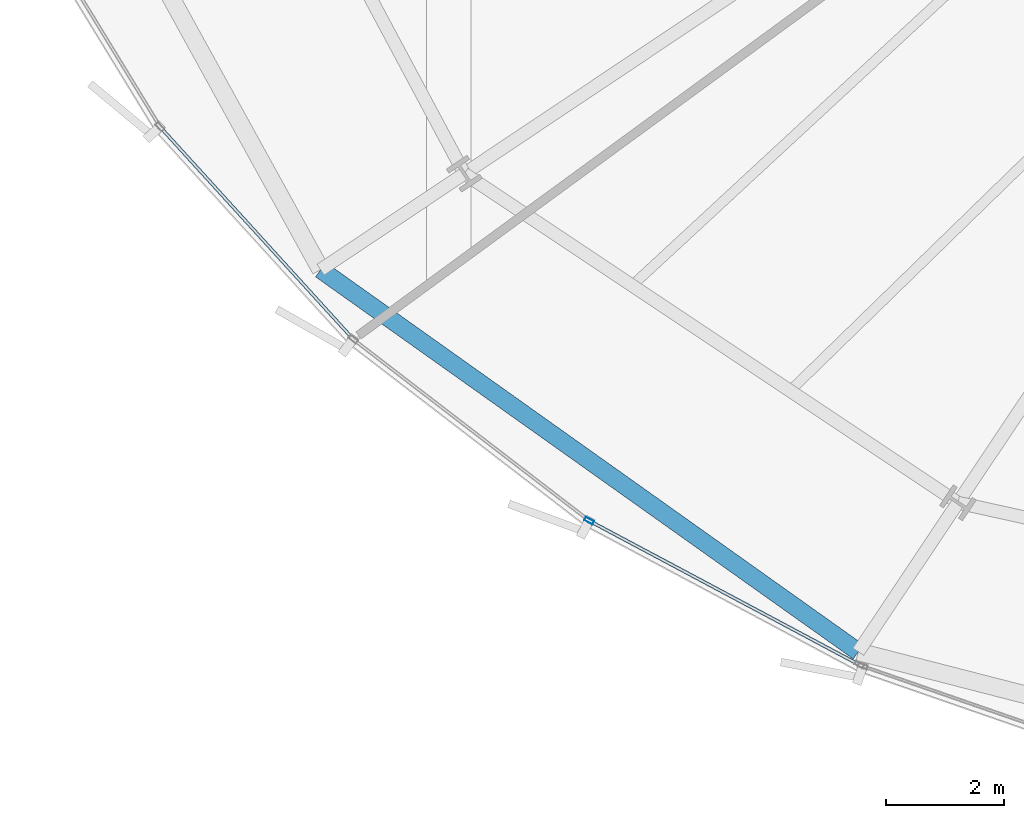
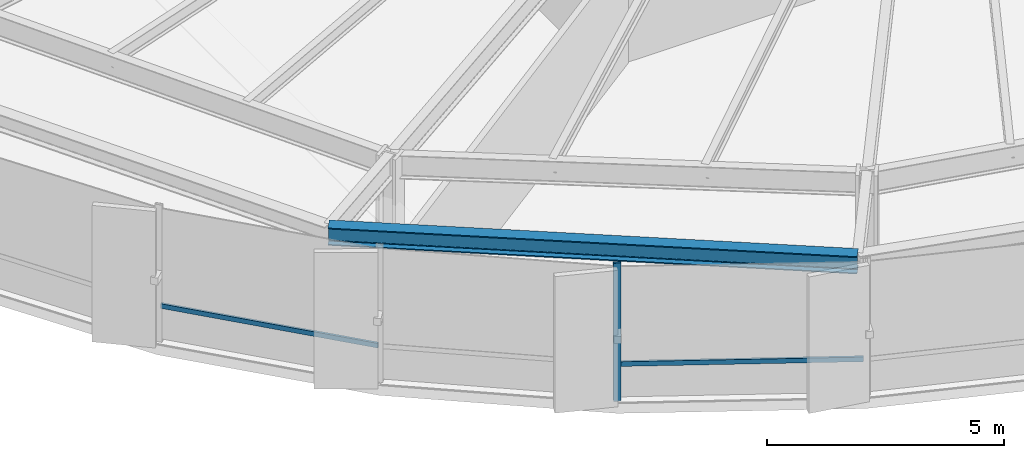
# One storey, part 2 of 42: 3 members, 1 beam, 1 element without a shape of its own.
"""IFC4 building model written with IfcOpenShell, lengths in metres."""

from ifc_helpers import new_model, si_unit, direction, frame, origin, origin_2d, place, context, subcontext, project, spatial, hollow_rectangle, i_section, extrude, source, transform, mapped, material, layer, layer_set, material_profile, profile_set, type_object, element, aggregate, save


model = new_model("IFC4")

# Units and contexts
model_context = context("Model", 3, precision=1e-05, world=origin(), true_north=direction((0.0, 1.0)))
body_context = subcontext(model_context, "Body", "Model", "MODEL_VIEW")
ifc_project = project(units=[si_unit("LENGTHUNIT", "METRE"), si_unit("AREAUNIT", "SQUARE_METRE"), si_unit("VOLUMEUNIT", "CUBIC_METRE"), si_unit("PLANEANGLEUNIT", "RADIAN"), si_unit("MASSUNIT", "GRAM", prefix="KILO"), si_unit("THERMODYNAMICTEMPERATUREUNIT", "KELVIN")], contexts=[model_context])

# Site, building, storey
site_placement = place(None, origin())
site = spatial("IfcSite", under=ifc_project, at=site_placement, CompositionType="ELEMENT")
building_placement = place(site_placement, origin())
building = spatial("IfcBuilding", under=site, at=building_placement, Name="Kethvar Cultural Tower", CompositionType="ELEMENT")
storey_placement = place(building_placement, frame((0.0, 0.0, 37.199951171875)))
storey = spatial("IfcBuildingStorey", under=building, at=storey_placement, Name="L08", CompositionType="ELEMENT", Elevation=37.199951171875)

# Beam
ifc_material_1 = material(Name="Steel S355J2", Category="steel")
ifc_material_profile_1 = material_profile(ifc_material_1, i_section(OverallWidth=0.300048828125, OverallDepth=0.449951171875, WebThickness=0.013916015625, FlangeThickness=0.02587890625, FilletRadius=0.027099609375, at=origin_2d()), Name="Steel S355J2 — HEB450")
ifc_profile_set_1 = profile_set([ifc_material_profile_1], Name="Steel S355J2 — HEB450")
beam_type = type_object("IfcBeamType", Name="BM-SP450", PredefinedType="SPANDREL", material=ifc_profile_set_1)
shared_shape_1 = source(origin(), body_context, "Body", "SweptSolid", [
    extrude(i_section(OverallWidth=0.300048828125, OverallDepth=0.449951171875, WebThickness=0.013916015625, FlangeThickness=0.02587890625, FilletRadius=0.027099609375, at=origin_2d()), origin(), (0.0, 0.0, 1.0), 11.19482421875),
])
beam_placement = place(storey_placement, frame((22.486572265625, 11.55419921875, 3.322998046875), z_axis=(0.815104529094, -0.579313910286, 0.0), x_axis=(0.579313910286, 0.815104529094, 0.0)))
element("IfcBeam", 1, at=beam_placement, inside=storey, type_object=beam_type, Name="L08 Perimeter Spandrel Beam SP-10", PredefinedType="SPANDREL", context=body_context, shape_type="MappedRepresentation", body=[
    mapped(shared_shape_1, transform((0.0, 0.0, 0.0), scale=1.0)),
])

# Curtain wall, members
ifc_material_2 = material(Name="Aluminium 6063-T6", Category="aluminium")
ifc_layer = layer(ifc_material_2, 0.179931640625, Name="Aluminium 6063-T6", Category="aluminium")
ifc_layer_set = layer_set([ifc_layer], Name="Aluminium 6063-T6 (180 mm)")
curtain_wall_type = type_object("IfcCurtainWallType", Name="CW-SYS-02-Z1", PredefinedType="NOTDEFINED", material=ifc_layer_set)
curtain_wall_placement = place(storey_placement, origin())
curtain_wall = element("IfcCurtainWall", 2, at=curtain_wall_placement, inside=storey, type_object=curtain_wall_type, Name="L08 Curtain Wall Run 04", PredefinedType="NOTDEFINED")
ifc_material_profile_2 = material_profile(ifc_material_2, hollow_rectangle(XDim=0.06494140625, YDim=0.159912109375, WallThickness=0.0048828125, at=origin_2d()), Name="Aluminium 6063-T6 — RHS160x65x5")
ifc_profile_set_2 = profile_set([ifc_material_profile_2], Name="Aluminium 6063-T6 — RHS160x65x5")
member_type_1 = type_object("IfcMemberType", Name="CW-SYS-02-Z1-MUL", PredefinedType="MULLION", material=ifc_profile_set_2)
shared_shape_2 = source(origin(), body_context, "Body", "SweptSolid", [
    extrude(hollow_rectangle(XDim=0.06494140625, YDim=0.159912109375, WallThickness=0.0048828125, at=origin_2d()), origin(), (0.0, 0.0, 1.0), 3.550048828125),
])
member_1_placement = place(storey_placement, frame((27.042724609375, 7.29296875, 0.0), z_axis=(0.0, 0.0, 1.0), x_axis=(0.470334317597, 0.882488317028, 0.0)))
member_1 = element("IfcMember", 3, at=member_1_placement, type_object=member_type_1, Name="CW-L08-R04 Mullion 6", PredefinedType="MULLION", context=body_context, shape_type="MappedRepresentation", body=[
    mapped(shared_shape_2, transform((0.0, 0.0, 0.0), scale=1.0)),
])
ifc_material_profile_3 = material_profile(ifc_material_2, hollow_rectangle(XDim=0.054931640625, YDim=0.1201171875, WallThickness=0.00390625, at=origin_2d()), Name="Aluminium 6063-T6 — RHS120x55x4")
ifc_profile_set_3 = profile_set([ifc_material_profile_3], Name="Aluminium 6063-T6 — RHS120x55x4")
member_type_2 = type_object("IfcMemberType", Name="CW-SYS-02-Z1-TRN", PredefinedType="USERDEFINED", material=ifc_profile_set_3)
shared_shape_3 = source(origin(), body_context, "Body", "SweptSolid", [
    extrude(hollow_rectangle(XDim=0.054931640625, YDim=0.1201171875, WallThickness=0.00390625, at=origin_2d()), origin(), (0.0, 0.0, 1.0), 5.14453125),
])
member_2_placement = place(storey_placement, frame((27.083984375, 7.27099609375, 0.949951171875), z_axis=(0.88248821123, -0.470334516106, 0.0), x_axis=(0.470334516106, 0.88248821123, 0.0)))
member_2 = element("IfcMember", 4, at=member_2_placement, type_object=member_type_2, Name="CW-L08-R04 Transom 6", ObjectType="TRANSOM", PredefinedType="USERDEFINED", context=body_context, shape_type="MappedRepresentation", body=[
    mapped(shared_shape_3, transform((0.0, 0.0, 0.0), scale=1.0)),
])
shared_shape_4 = source(origin(), body_context, "Body", "SweptSolid", [
    extrude(hollow_rectangle(XDim=0.054931640625, YDim=0.1201171875, WallThickness=0.00390625, at=origin_2d()), origin(), (0.0, 0.0, 1.0), 4.80419921875),
])
member_3_placement = place(storey_placement, frame((19.78955078125, 13.94580078125, 0.949951171875), z_axis=(0.673036948306, -0.739608860287, 0.0), x_axis=(0.739608860287, 0.673036948306, 0.0)))
member_3 = element("IfcMember", 5, at=member_3_placement, type_object=member_type_2, Name="CW-L08-R04 Transom 4", ObjectType="TRANSOM", PredefinedType="USERDEFINED", context=body_context, shape_type="MappedRepresentation", body=[
    mapped(shared_shape_4, transform((0.0, 0.0, 0.0), scale=1.0)),
])
aggregate(curtain_wall, [member_1, member_3, member_2])

save(model, "model.ifc")
